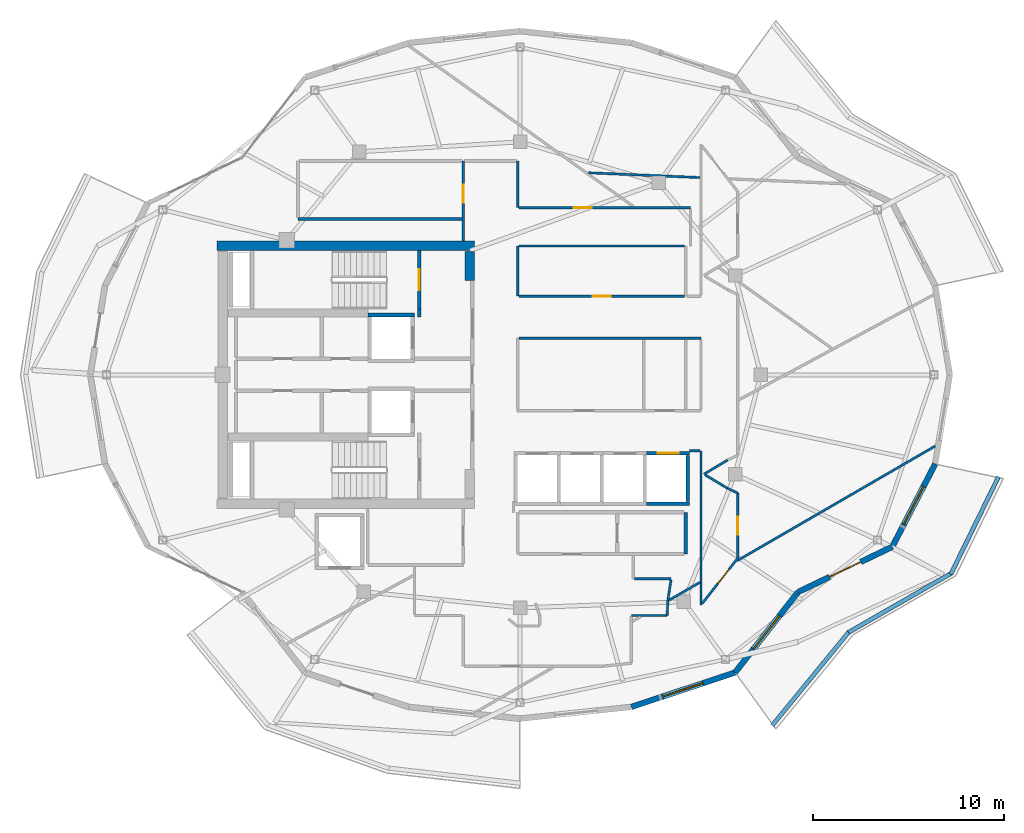
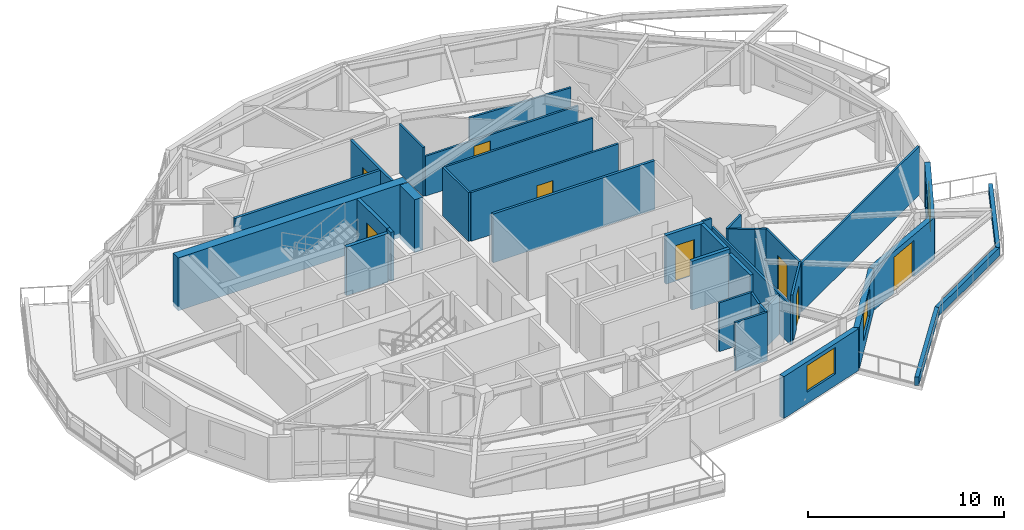
# One storey, part 9 of 14: 38 walls, 8 doors, 3 windows, 11 openings.
"""IFC4 building model written with IfcOpenShell, lengths in metres."""

import ifcopenshell
import ifcopenshell.guid

model = None  # the IFC model being written
_history = None  # IfcOwnerHistory: only IFC2X3 demands one
_inside = {}  # id of a spatial element -> (the spatial element, [elements in it])
_under = {}  # id of a project, library or spatial element -> (it, [spatial elements below it])
_declared = {}  # id of a project -> (the project, [libraries it declares])
_typed = {}  # id of a type object -> (the type object, [elements of that type])
_made_of = {}  # id of a material, layer set ... -> (it, [elements and type objects made of it])


def new_model(schema):
    """Start an empty IFC model of exactly this schema.

    Asked for "IFC4X3", IfcOpenShell would pick the latest addendum, in which some entities
    have other attributes; the version numbers below select the first issue.
    IFC2X3 requires an IfcOwnerHistory on every rooted entity: one is made here for all.
    """
    global model, _history
    if schema == "IFC4X3":
        model = ifcopenshell.file(schema_version=(4, 3, 0, 0))
    else:
        model = ifcopenshell.file(schema=schema)
    _inside.clear()
    _under.clear()
    _declared.clear()
    _typed.clear()
    _made_of.clear()
    _history = None
    if model.schema == "IFC2X3":
        org = make("IfcOrganization", Name="unknown")
        user = make(
            "IfcPersonAndOrganization",
            ThePerson=make("IfcPerson", FamilyName="unknown"),
            TheOrganization=org,
        )
        app = make(
            "IfcApplication",
            ApplicationDeveloper=org,
            Version="unknown",
            ApplicationFullName="unknown",
            ApplicationIdentifier="unknown",
        )
        _history = make(
            "IfcOwnerHistory",
            OwningUser=user,
            OwningApplication=app,
            ChangeAction="ADDED",
            CreationDate=0,
        )
    return model


def make(cls, **values):
    """One entity of the class cls with the attributes given. An attribute that is None is left unset."""
    return model.create_entity(
        cls, **{name: value for name, value in values.items() if value is not None}
    )


def rooted(cls, **values):
    """An entity with a GlobalId (a new one), such as an element, a storey or a relation."""
    return make(cls, GlobalId=ifcopenshell.guid.new(), OwnerHistory=_history, **values)


def si_unit(unit_type, name, prefix=None):
    """IfcSIUnit, for example si_unit("LENGTHUNIT", "METRE", prefix="MILLI")."""
    return make("IfcSIUnit", UnitType=unit_type, Prefix=prefix, Name=name)


def assignment(units):
    """IfcUnitAssignment: the units of a project."""
    return None if units is None else make("IfcUnitAssignment", Units=units)


def point(xyz):
    """IfcCartesianPoint."""
    return None if xyz is None else make("IfcCartesianPoint", Coordinates=xyz)


def direction(xyz):
    """IfcDirection."""
    return None if xyz is None else make("IfcDirection", DirectionRatios=xyz)


def frame(location, z_axis=None, x_axis=None):
    """IfcAxis2Placement3D, a coordinate frame: its origin and axes. An axis left out is left unset."""
    return make(
        "IfcAxis2Placement3D",
        Location=point(location),
        Axis=direction(z_axis),
        RefDirection=direction(x_axis),
    )


def frame_2d(location, x_axis=None):
    """IfcAxis2Placement2D, a coordinate frame in the plane: its origin and x axis."""
    return make(
        "IfcAxis2Placement2D", Location=point(location), RefDirection=direction(x_axis)
    )


def origin():
    """The frame at (0, 0, 0) with its axes left unset."""
    return frame((0.0, 0.0, 0.0))


def place(relative_to, where):
    """IfcLocalPlacement: puts the frame where relative to a parent placement (None: the world)."""
    return make(
        "IfcLocalPlacement", PlacementRelTo=relative_to, RelativePlacement=where
    )


def context(
    kind, dimensions, precision=None, world=None, true_north=None, identifier=None
):
    """IfcGeometricRepresentationContext, for example the 3D "Model" context."""
    return make(
        "IfcGeometricRepresentationContext",
        ContextIdentifier=identifier,
        ContextType=kind,
        CoordinateSpaceDimension=dimensions,
        Precision=precision,
        WorldCoordinateSystem=world,
        TrueNorth=true_north,
    )


def subcontext(parent, identifier, kind, view, scale=None):
    """IfcGeometricRepresentationSubContext, for example "Body" below "Model"."""
    return make(
        "IfcGeometricRepresentationSubContext",
        ContextIdentifier=identifier,
        ContextType=kind,
        ParentContext=parent,
        TargetScale=scale,
        TargetView=view,
    )


def project(units=None, contexts=None):
    """IfcProject with its units and contexts."""
    return rooted(
        "IfcProject",
        Name="project",
        RepresentationContexts=contexts,
        UnitsInContext=assignment(units),
    )


def spatial(cls, under=None, at=None, **own):
    """A site, building, storey or space (cls), placed at a placement, below another one or the project."""
    s = rooted(cls, ObjectPlacement=at, **own)
    if under is not None:
        _under.setdefault(under.id(), (under, []))[1].append(s)
    return s


def profile(cls, at=None, kind="AREA", **sizes):
    """A parametric profile (cls). Its sizes go by their IFC names, for example OverallWidth=200.0."""
    return make(cls, ProfileType=kind, Position=at, **sizes)


def rectangle(**sizes):
    """IfcRectangleProfileDef."""
    return profile("IfcRectangleProfileDef", **sizes)


def extrude(swept, where, along, depth):
    """IfcExtrudedAreaSolid: the profile swept, set in the frame where, extruded along a direction by depth."""
    return make(
        "IfcExtrudedAreaSolid",
        SweptArea=swept,
        Position=where,
        ExtrudedDirection=direction(along),
        Depth=depth,
    )


def shape(context_of_items, identifier, shape_type, items):
    """IfcShapeRepresentation: the items that make up one representation, for example the "Body"."""
    return make(
        "IfcShapeRepresentation",
        ContextOfItems=context_of_items,
        RepresentationIdentifier=identifier,
        RepresentationType=shape_type,
        Items=items,
    )


def material(Name=None, Category=None):
    """IfcMaterial."""
    return make("IfcMaterial", Name=Name, Category=Category)


def layer(
    of_material, thickness, ventilated=None, Name=None, Category=None, Priority=None
):
    """IfcMaterialLayer: one layer of a wall or slab, of a material (None: an air gap)."""
    return make(
        "IfcMaterialLayer",
        Material=of_material,
        LayerThickness=thickness,
        IsVentilated=ventilated,
        Name=Name,
        Category=Category,
        Priority=Priority,
    )


def layer_set(layers, Name=None):
    """IfcMaterialLayerSet."""
    return make("IfcMaterialLayerSet", MaterialLayers=layers, LayerSetName=Name)


def made_of(thing, what):
    """Note that an element or type object is made of a material, layer set ...; save() writes the relation."""
    if what is not None:
        _made_of.setdefault(what.id(), (what, []))[1].append(thing)
    return thing


def type_object(cls, material=None, **own):
    """A type object (cls), such as IfcWallType, which elements share."""
    return made_of(rooted(cls, **own), material)


def element(
    cls,
    number,
    at=None,
    inside=None,
    cuts=None,
    type_object=None,
    material=None,
    context=None,
    identifier="Body",
    shape_type=None,
    held_by="IfcProductDefinitionShape",
    body=None,
    shapes=None,
    **own,
):
    """One element of the class cls, such as IfcWall. Its Tag is "e" and its number.

    at: its placement. inside: the storey or other place that contains it. cuts: it is an
    opening in that element (IfcRelVoidsElement). A single representation is given by context,
    identifier, shape_type and body (its items); several are given by shapes. held_by: the class
    of the entity that holds the representations. save() writes the other relations.
    """
    e = rooted(cls, Tag="e%d" % number, ObjectPlacement=at, **own)
    if body is not None:
        shapes = [shape(context, identifier, shape_type, body)]
    if shapes is not None:
        e.Representation = make(held_by, Representations=shapes)
    if inside is not None:
        _inside.setdefault(inside.id(), (inside, []))[1].append(e)
    if cuts is not None:
        rooted(
            "IfcRelVoidsElement", RelatingBuildingElement=cuts, RelatedOpeningElement=e
        )
    if type_object is not None:
        _typed.setdefault(type_object.id(), (type_object, []))[1].append(e)
    return made_of(e, material)


def fill(opening, filler):
    """IfcRelFillsElement: the door or window that sits in an opening."""
    return rooted(
        "IfcRelFillsElement",
        RelatingOpeningElement=opening,
        RelatedBuildingElement=filler,
    )


def aggregate(whole, parts):
    """IfcRelAggregates: a whole, such as a stair, and the parts it consists of."""
    return rooted("IfcRelAggregates", RelatingObject=whole, RelatedObjects=parts)


def save(model, path):
    """Write the relations noted so far, then the file.

    IfcRelAggregates (storeys below a building ...), IfcRelContainedInSpatialStructure (elements
    in a storey), IfcRelDefinesByType, IfcRelAssociatesMaterial and IfcRelDeclares: one each for
    every whole, place, type object, material and project.
    """
    for whole, parts in _under.values():
        aggregate(whole, parts)
    for where, things in _inside.values():
        rooted(
            "IfcRelContainedInSpatialStructure",
            RelatedElements=things,
            RelatingStructure=where,
        )
    for kind, things in _typed.values():
        rooted("IfcRelDefinesByType", RelatedObjects=things, RelatingType=kind)
    for what, things in _made_of.values():
        rooted("IfcRelAssociatesMaterial", RelatedObjects=things, RelatingMaterial=what)
    for by, libraries in _declared.values():
        rooted("IfcRelDeclares", RelatingContext=by, RelatedDefinitions=libraries)
    model.write(path)


model = new_model("IFC4")

# Units and contexts
model_context = context("Model", 3, precision=1e-05, world=origin(), true_north=direction((0.0, 1.0)))
body_context = subcontext(model_context, "Body", "Model", "MODEL_VIEW")
ifc_project = project(units=[si_unit("LENGTHUNIT", "METRE"), si_unit("AREAUNIT", "SQUARE_METRE"), si_unit("VOLUMEUNIT", "CUBIC_METRE"), si_unit("PLANEANGLEUNIT", "RADIAN"), si_unit("MASSUNIT", "GRAM", prefix="KILO")], contexts=[model_context])

# Site, building, storey
site_placement = place(None, origin())
site = spatial("IfcSite", under=ifc_project, at=site_placement, CompositionType="ELEMENT")
building_placement = place(site_placement, origin())
building = spatial("IfcBuilding", under=site, at=building_placement, Name="Kolvaren Gate Tower and Convention Centre", CompositionType="ELEMENT")
storey_placement = place(building_placement, frame((0.0, 0.0, 252.5)))
storey = spatial("IfcBuildingStorey", under=building, at=storey_placement, Name="L68", CompositionType="ELEMENT", Elevation=252.5)

# Walls
ifc_material_1 = material(Name="Autoclaved Aerated Masonry Blockwork Class 4 (4.0 MPa)", Category="masonry")
ifc_layer_1 = layer(ifc_material_1, 0.179931640625)
ifc_layer_set_1 = layer_set([ifc_layer_1], Name="Autoclaved Aerated Masonry Blockwork Class 4 (4.0 MPa)")
wall_type_1 = type_object("IfcWallType", Name="ARCH-WL-COMP-180", PredefinedType="SOLIDWALL", material=ifc_layer_set_1)
wall_1_placement = place(storey_placement, frame((24.85009765625, 30.0400390625, 0.0), z_axis=(0.0, 0.0, 1.0), x_axis=(0.0, 1.0, 0.0)))
element("IfcWall", 1, at=wall_1_placement, inside=storey, type_object=wall_type_1, Name="Interior Partition WL-L68-INT-002", PredefinedType="SOLIDWALL", context=body_context, shape_type="SweptSolid", body=[
    extrude(rectangle(XDim=0.419921875, YDim=0.179931640625, at=frame_2d((0.2099609375, 0.0))), origin(), (0.0, 0.0, 1.0), 3.030029296875),
])
wall_2_placement = place(storey_placement, frame((38.800048828125, 17.6201171875, 0.0), z_axis=(0.0, 0.0, 1.0), x_axis=(0.0, 1.0, 0.0)))
element("IfcWall", 2, at=wall_2_placement, inside=storey, type_object=wall_type_1, Name="Interior Partition WL-L68-INT-021", PredefinedType="SOLIDWALL", context=body_context, shape_type="SweptSolid", body=[
    extrude(rectangle(XDim=2.179931640625, YDim=0.179931640625, at=frame_2d((1.08984375, 0.0))), origin(), (0.0, 0.0, 1.0), 3.030029296875),
])
ifc_material_2 = material(Name="Fire-Rated Acoustic Gypsum Stud Partition", Category="gypsum")
ifc_layer_2 = layer(ifc_material_2, 0.1201171875)
ifc_layer_set_2 = layer_set([ifc_layer_2], Name="Fire-Rated Acoustic Gypsum Stud Partition")
wall_type_2 = type_object("IfcWallType", Name="ARCH-WL-PART-120", PredefinedType="PARTITIONING", material=ifc_layer_set_2)
wall_3_placement = place(storey_placement, frame((30.0, 31.1201171875, 0.0), z_axis=(0.0, 0.0, 1.0), x_axis=(0.0, 1.0, 0.0)))
element("IfcWall", 3, at=wall_3_placement, inside=storey, type_object=wall_type_2, Name="Interior Partition WL-L68-INT-017", PredefinedType="PARTITIONING", context=body_context, shape_type="SweptSolid", body=[
    extrude(rectangle(XDim=2.6298828125, YDim=0.1201171875, at=frame_2d((1.31494140625, 0.0))), origin(), (0.0, 0.0, 1.0), 3.030029296875),
])
wall_4_placement = place(storey_placement, frame((30.0, 35.75, 0.0), z_axis=(0.0, 0.0, 1.0), x_axis=(0.0, 1.0, 0.0)))
element("IfcWall", 4, at=wall_4_placement, inside=storey, type_object=wall_type_2, Name="Interior Partition WL-L68-INT-018", PredefinedType="PARTITIONING", context=body_context, shape_type="SweptSolid", body=[
    extrude(rectangle(XDim=2.449951171875, YDim=0.1201171875, at=frame_2d((1.22509765625, 0.0))), origin(), (0.0, 0.0, 1.0), 3.030029296875),
])

# Wall, opening, door
wall_5_placement = place(storey_placement, frame((30.06201171875, 31.1201171875, 0.0), z_axis=(0.0, 0.0, 1.0), x_axis=(1.0, 0.0, 0.0)))
wall_5 = element("IfcWall", 5, at=wall_5_placement, inside=storey, type_object=wall_type_2, Name="Interior Partition WL-L68-INT-024", PredefinedType="PARTITIONING", context=body_context, shape_type="SweptSolid", body=[
    extrude(rectangle(XDim=8.676025390625, YDim=0.1201171875, at=frame_2d((4.337890625, 0.0))), origin(), (0.0, 0.0, 1.0), 3.030029296875),
])
opening_1_placement = place(wall_5_placement, frame((3.863037109375, 0.0, 0.0)))
opening_1 = element("IfcOpeningElement", 6, at=opening_1_placement, cuts=wall_5, Name="Opening DR-01", PredefinedType="OPENING", context=body_context, shape_type="SweptSolid", body=[
    extrude(rectangle(XDim=0.949951171875, YDim=2.10009765625, at=frame_2d((0.47509765625, 1.050048828125))), frame((0.0, 0.070068359375, 0.0), z_axis=(0.0, -1.0, 0.0), x_axis=(1.0, 0.0, 0.0)), (0.0, 0.0, 1.0), 0.14013671875),
])
ifc_material_3 = material(Name="Painted Architectural Steelwork ASTM A500 Grade C 345 MPa", Category="steel")
door_type_1 = type_object("IfcDoorType", Name="ARCH-DR-RISER-950", OperationType="SINGLE_SWING_RIGHT", PredefinedType="DOOR", material=ifc_material_3)
door_1_placement = place(opening_1_placement, origin())
door_1 = element("IfcDoor", 7, at=door_1_placement, inside=storey, type_object=door_type_1, Name="Botanical Reading Clubroom Door", OperationType="SINGLE_SWING_LEFT", OverallHeight=2.10009765625, OverallWidth=0.949951171875, PredefinedType="DOOR", context=body_context, shape_type="SweptSolid", body=[
    extrude(rectangle(XDim=0.949951171875, YDim=2.10009765625, at=frame_2d((0.47509765625, 1.050048828125))), frame((0.0, 0.02490234375, 0.0), z_axis=(0.0, -1.0, 0.0), x_axis=(1.0, 0.0, 0.0)), (0.0, 0.0, 1.0), 0.050048828125),
])
fill(opening_1, door_1)

# Wall
wall_6_placement = place(storey_placement, frame((30.06201171875, 33.75, 0.0), z_axis=(0.0, 0.0, 1.0), x_axis=(1.0, 0.0, 0.0)))
element("IfcWall", 8, at=wall_6_placement, inside=storey, type_object=wall_type_2, Name="Interior Partition WL-L68-INT-025", PredefinedType="PARTITIONING", context=body_context, shape_type="SweptSolid", body=[
    extrude(rectangle(XDim=8.676025390625, YDim=0.1201171875, at=frame_2d((4.337890625, 0.0))), origin(), (0.0, 0.0, 1.0), 3.030029296875),
])

# Wall, opening, door
wall_7_placement = place(storey_placement, frame((30.06201171875, 35.75, 0.0), z_axis=(0.0, 0.0, 1.0), x_axis=(1.0, 0.0, 0.0)))
wall_7 = element("IfcWall", 9, at=wall_7_placement, inside=storey, type_object=wall_type_2, Name="Interior Partition WL-L68-INT-032", PredefinedType="PARTITIONING", context=body_context, shape_type="SweptSolid", body=[
    extrude(rectangle(XDim=8.988037109375, YDim=0.1201171875, at=frame_2d((4.494140625, 0.0))), origin(), (0.0, 0.0, 1.0), 2.47802734375),
])
opening_2_placement = place(wall_7_placement, frame((2.860107421875, 0.0, 0.0)))
opening_2 = element("IfcOpeningElement", 10, at=opening_2_placement, cuts=wall_7, Name="Opening DR-01", PredefinedType="OPENING", context=body_context, shape_type="SweptSolid", body=[
    extrude(rectangle(XDim=0.949951171875, YDim=2.10009765625, at=frame_2d((0.47509765625, 1.050048828125))), frame((0.0, 0.070068359375, 0.0), z_axis=(0.0, -1.0, 0.0), x_axis=(1.0, 0.0, 0.0)), (0.0, 0.0, 1.0), 0.14013671875),
])
door_2_placement = place(opening_2_placement, origin())
door_2 = element("IfcDoor", 11, at=door_2_placement, inside=storey, type_object=door_type_1, Name="Resident Private Study and Home Office Door", OperationType="SINGLE_SWING_LEFT", OverallHeight=2.10009765625, OverallWidth=0.949951171875, PredefinedType="DOOR", context=body_context, shape_type="SweptSolid", body=[
    extrude(rectangle(XDim=0.949951171875, YDim=2.10009765625, at=frame_2d((0.47509765625, 1.050048828125))), frame((0.0, 0.02490234375, 0.0), z_axis=(0.0, -1.0, 0.0), x_axis=(1.0, 0.0, 0.0)), (0.0, 0.0, 1.0), 0.050048828125),
])
fill(opening_2, door_2)

# Wall
wall_8_placement = place(storey_placement, frame((39.60009765625, 14.951904296875, 0.0), z_axis=(0.0, 0.0, 1.0), x_axis=(0.0, 1.0, 0.0)))
element("IfcWall", 12, at=wall_8_placement, inside=storey, type_object=wall_type_2, Name="Interior Partition WL-L68-INT-034", PredefinedType="PARTITIONING", context=body_context, shape_type="SweptSolid", body=[
    extrude(rectangle(XDim=8.068115234375, YDim=0.1201171875, at=frame_2d((4.0341796875, 0.0))), origin(), (0.0, 0.0, 1.0), 2.47802734375),
])

# Wall, opening, door
wall_9_placement = place(storey_placement, frame((41.52001953125, 17.404052734375, 0.0), z_axis=(0.0, 0.0, 1.0), x_axis=(0.0, 1.0, 0.0)))
wall_9 = element("IfcWall", 13, at=wall_9_placement, inside=storey, type_object=wall_type_2, Name="Interior Partition WL-L68-INT-038", PredefinedType="PARTITIONING", context=body_context, shape_type="SweptSolid", body=[
    extrude(rectangle(XDim=3.40283203125, YDim=0.1201171875, at=frame_2d((1.701416015625, 0.0))), origin(), (0.0, 0.0, 1.0), 3.030029296875),
])
opening_3_placement = place(wall_9_placement, frame((1.2265625, 0.0, 0.0)))
opening_3 = element("IfcOpeningElement", 14, at=opening_3_placement, cuts=wall_9, Name="Opening DR-01", PredefinedType="OPENING", context=body_context, shape_type="SweptSolid", body=[
    extrude(rectangle(XDim=0.949951171875, YDim=2.10009765625, at=frame_2d((0.47509765625, 1.050048828125))), frame((0.0, 0.070068359375, 0.0), z_axis=(0.0, -1.0, 0.0), x_axis=(1.0, 0.0, 0.0)), (0.0, 0.0, 1.0), 0.14013671875),
])
door_3_placement = place(opening_3_placement, origin())
door_3 = element("IfcDoor", 15, at=door_3_placement, inside=storey, type_object=door_type_1, Name="Resident Private Study Door", OperationType="SINGLE_SWING_RIGHT", OverallHeight=2.10009765625, OverallWidth=0.949951171875, PredefinedType="DOOR", context=body_context, shape_type="SweptSolid", body=[
    extrude(rectangle(XDim=0.949951171875, YDim=2.10009765625, at=frame_2d((0.47509765625, 1.050048828125))), frame((0.0, 0.02490234375, 0.0), z_axis=(0.0, -1.0, 0.0), x_axis=(1.0, 0.0, 0.0)), (0.0, 0.0, 1.0), 0.050048828125),
])
fill(opening_3, door_3)

# Walls
wall_10_placement = place(storey_placement, frame((39.75, 21.800048828125, 0.0), z_axis=(0.0, 0.0, 1.0), x_axis=(0.857702120906, 0.514146935996, 0.0)))
element("IfcWall", 16, at=wall_10_placement, inside=storey, type_object=wall_type_2, Name="Interior Partition WL-L68-INT-046", PredefinedType="PARTITIONING", context=body_context, shape_type="SweptSolid", body=[
    extrude(rectangle(XDim=1.441162109375, YDim=0.1201171875, at=frame_2d((0.720703125, 0.0))), origin(), (0.0, 0.0, 1.0), 3.030029296875),
])
wall_11_placement = place(storey_placement, frame((39.810302734375, 21.763916015625, 0.0), z_axis=(0.0, 0.0, 1.0), x_axis=(0.858011245414, -0.513630901273, 0.0)))
element("IfcWall", 17, at=wall_11_placement, inside=storey, type_object=wall_type_2, Name="Interior Partition WL-L68-INT-047", PredefinedType="PARTITIONING", context=body_context, shape_type="SweptSolid", body=[
    extrude(rectangle(XDim=1.370361328125, YDim=0.1201171875, at=frame_2d((0.68505859375, 0.0))), origin(), (0.0, 0.0, 1.0), 3.030029296875),
])
wall_12_placement = place(storey_placement, frame((40.986083984375, 21.06005859375, 0.0), z_axis=(0.0, 0.0, 1.0), x_axis=(0.90356951601, -0.428441512621, 0.0)))
element("IfcWall", 18, at=wall_12_placement, inside=storey, type_object=wall_type_2, Name="Interior Partition WL-L68-INT-048", PredefinedType="PARTITIONING", context=body_context, shape_type="SweptSolid", body=[
    extrude(rectangle(XDim=0.5908203125, YDim=0.1201171875, at=frame_2d((0.29541015625, 0.0))), origin(), (0.0, 0.0, 1.0), 3.030029296875),
])

# Wall, opening, door
wall_13_placement = place(storey_placement, frame((39.662109375, 15.03125, 0.0), z_axis=(0.0, 0.0, 1.0), x_axis=(0.616500468458, 0.787354540465, 0.0)))
wall_13 = element("IfcWall", 19, at=wall_13_placement, inside=storey, type_object=wall_type_2, Name="Interior Partition WL-L68-INT-049", PredefinedType="PARTITIONING", context=body_context, shape_type="SweptSolid", body=[
    extrude(rectangle(XDim=3.013671875, YDim=0.1201171875, at=frame_2d((1.5068359375, 0.0))), origin(), (0.0, 0.0, 1.0), 3.030029296875),
])
opening_4_placement = place(wall_13_placement, frame((1.311767578125, 0.0, 0.0)))
opening_4 = element("IfcOpeningElement", 20, at=opening_4_placement, cuts=wall_13, Name="Opening DR-01", PredefinedType="OPENING", context=body_context, shape_type="SweptSolid", body=[
    extrude(rectangle(XDim=0.949951171875, YDim=2.10009765625, at=frame_2d((0.47509765625, 1.050048828125))), frame((0.0, 0.070068359375, 0.0), z_axis=(0.0, -1.0, 0.0), x_axis=(1.0, 0.0, 0.0)), (0.0, 0.0, 1.0), 0.14013671875),
])
door_4_placement = place(opening_4_placement, origin())
door_4 = element("IfcDoor", 21, at=door_4_placement, inside=storey, type_object=door_type_1, Name="Penthouse Strategy Boardroom Door", OperationType="SINGLE_SWING_LEFT", OverallHeight=2.10009765625, OverallWidth=0.949951171875, PredefinedType="DOOR", context=body_context, shape_type="SweptSolid", body=[
    extrude(rectangle(XDim=0.949951171875, YDim=2.10009765625, at=frame_2d((0.47509765625, 1.050048828125))), frame((0.0, 0.02490234375, 0.0), z_axis=(0.0, -1.0, 0.0), x_axis=(1.0, 0.0, 0.0)), (0.0, 0.0, 1.0), 0.050048828125),
])
fill(opening_4, door_4)

# Walls
wall_14_placement = place(storey_placement, frame((39.0, 23.02001953125, 0.0), z_axis=(0.0, 0.0, 1.0), x_axis=(1.0, 0.0, 0.0)))
element("IfcWall", 22, at=wall_14_placement, inside=storey, type_object=wall_type_2, Name="Interior Partition WL-L68-INT-050", PredefinedType="PARTITIONING", context=body_context, shape_type="SweptSolid", body=[
    extrude(rectangle(XDim=0.5380859375, YDim=0.1201171875, at=frame_2d((0.26904296875, 0.0))), origin(), (0.0, 0.0, 1.0), 3.030029296875),
])
wall_15_placement = place(storey_placement, frame((36.112060546875, 16.320068359375, 0.0), z_axis=(0.0, 0.0, 1.0), x_axis=(1.0, 0.0, 0.0)))
element("IfcWall", 23, at=wall_15_placement, inside=storey, type_object=wall_type_2, Name="Interior Partition WL-L68-INT-053", PredefinedType="PARTITIONING", context=body_context, shape_type="SweptSolid", body=[
    extrude(rectangle(XDim=1.9208984375, YDim=0.1201171875, at=frame_2d((0.96044921875, 0.0))), origin(), (0.0, 0.0, 1.0), 3.030029296875),
])
wall_16_placement = place(storey_placement, frame((37.862060546875, 15.200927734375, 0.0), z_axis=(0.0, 0.0, 1.0), x_axis=(0.150907653202, 0.988547864398, 0.0)))
element("IfcWall", 24, at=wall_16_placement, inside=storey, type_object=wall_type_2, Name="Interior Partition WL-L68-INT-054", PredefinedType="PARTITIONING", context=body_context, shape_type="SweptSolid", body=[
    extrude(rectangle(XDim=1.0693359375, YDim=0.1201171875, at=frame_2d((0.53466796875, 0.0))), origin(), (0.0, 0.0, 1.0), 3.030029296875),
])
wall_17_placement = place(storey_placement, frame((37.822998046875, 14.39990234375, 0.0), z_axis=(0.0, 0.0, 1.0), x_axis=(0.04870773904, 0.998813073682, 0.0)))
element("IfcWall", 25, at=wall_17_placement, inside=storey, type_object=wall_type_2, Name="Interior Partition WL-L68-INT-055", PredefinedType="PARTITIONING", context=body_context, shape_type="SweptSolid", body=[
    extrude(rectangle(XDim=0.802001953125, YDim=0.1201171875, at=frame_2d((0.40087890625, 0.0))), origin(), (0.0, 0.0, 1.0), 3.030029296875),
])
wall_18_placement = place(storey_placement, frame((35.949951171875, 14.39990234375, 0.0), z_axis=(0.0, 0.0, 1.0), x_axis=(1.0, 0.0, 0.0)))
element("IfcWall", 26, at=wall_18_placement, inside=storey, type_object=wall_type_2, Name="Interior Partition WL-L68-INT-057", PredefinedType="PARTITIONING", context=body_context, shape_type="SweptSolid", body=[
    extrude(rectangle(XDim=1.873046875, YDim=0.1201171875, at=frame_2d((0.9365234375, 0.0))), origin(), (0.0, 0.0, 1.0), 3.030029296875),
])
wall_19_placement = place(storey_placement, frame((37.92529296875, 15.2041015625, 0.0), z_axis=(0.0, 0.0, 1.0), x_axis=(0.865342568062, 0.501180845505, 0.0)))
element("IfcWall", 27, at=wall_19_placement, inside=storey, type_object=wall_type_2, Name="Interior Partition WL-L68-INT-070", PredefinedType="PARTITIONING", context=body_context, shape_type="SweptSolid", body=[
    extrude(rectangle(XDim=1.86376953125, YDim=0.1201171875, at=frame_2d((0.931884765625, 0.0))), origin(), (0.0, 0.0, 1.0), 2.47802734375),
])
wall_20_placement = place(storey_placement, frame((41.4951171875, 17.271728515625, 0.0), z_axis=(0.0, 0.0, 1.0), x_axis=(0.865359277242, 0.501151994201, 0.0)))
element("IfcWall", 28, at=wall_20_placement, inside=storey, type_object=wall_type_2, Name="Interior Partition WL-L68-INT-071", PredefinedType="PARTITIONING", context=body_context, shape_type="SweptSolid", body=[
    extrude(rectangle(XDim=11.974853515625, YDim=0.1201171875, at=frame_2d((5.9873046875, 0.0))), origin(), (0.0, 0.0, 1.0), 3.030029296875),
])
wall_21_placement = place(storey_placement, frame((33.69921875, 37.5791015625, 0.0), z_axis=(0.0, 0.0, 1.0), x_axis=(0.999081056781, -0.042860727724, 0.0)))
element("IfcWall", 29, at=wall_21_placement, inside=storey, type_object=wall_type_2, Name="Interior Partition WL-L68-INT-074", PredefinedType="PARTITIONING", context=body_context, shape_type="SweptSolid", body=[
    extrude(rectangle(XDim=5.84423828125, YDim=0.1201171875, at=frame_2d((2.922119140625, 0.0))), origin(), (0.0, 0.0, 1.0), 2.47802734375),
])
ifc_material_4 = material(Name="Piedmont Cream Honed Limestone Cladding", Category="masonry")
ifc_layer_3 = layer(ifc_material_4, 0.219970703125)
ifc_layer_set_3 = layer_set([ifc_layer_3], Name="Piedmont Cream Honed Limestone Cladding")
wall_type_3 = type_object("IfcWallType", Name="ARCH-WL-PLANTER-220", PredefinedType="PARAPET", material=ifc_layer_set_3)
wall_22_placement = place(storey_placement, frame((43.322998046875, 8.64599609375, 0.0), z_axis=(0.0, 0.0, 1.0), x_axis=(0.63407318032, 0.77327304492, 0.0)))
element("IfcWall", 30, at=wall_22_placement, inside=storey, type_object=wall_type_3, Name="Vertical-Forest Balcony Stone Planter Kerb PK-L68-4.1", PredefinedType="PARAPET", context=body_context, shape_type="SweptSolid", body=[
    extrude(rectangle(XDim=6.37890625, YDim=0.219970703125, at=frame_2d((3.189453125, 0.0))), origin(), (0.0, 0.0, 1.0), 0.52001953125),
])
wall_23_placement = place(storey_placement, frame((47.3212890625, 13.5205078125, 0.0), z_axis=(0.0, 0.0, 1.0), x_axis=(0.866901621005, 0.49847926687, 0.0)))
element("IfcWall", 31, at=wall_23_placement, inside=storey, type_object=wall_type_3, Name="Vertical-Forest Balcony Stone Planter Kerb PK-L68-4.2", PredefinedType="PARAPET", context=body_context, shape_type="SweptSolid", body=[
    extrude(rectangle(XDim=6.196533203125, YDim=0.219970703125, at=frame_2d((3.09814453125, 0.0))), origin(), (0.0, 0.0, 1.0), 0.52001953125),
])
wall_24_placement = place(storey_placement, frame((52.66748046875, 16.553466796875, 0.0), z_axis=(0.0, 0.0, 1.0), x_axis=(0.440058847499, 0.897968936399, 0.0)))
element("IfcWall", 32, at=wall_24_placement, inside=storey, type_object=wall_type_3, Name="Vertical-Forest Balcony Stone Planter Kerb PK-L68-4.3", PredefinedType="PARAPET", context=body_context, shape_type="SweptSolid", body=[
    extrude(rectangle(XDim=5.689453125, YDim=0.219970703125, at=frame_2d((2.8447265625, 0.0))), origin(), (0.0, 0.0, 1.0), 0.52001953125),
])
ifc_layer_4 = layer(ifc_material_1, 0.199951171875)
ifc_layer_set_4 = layer_set([ifc_layer_4], Name="Autoclaved Aerated Masonry Blockwork Class 4 (4.0 MPa)")
wall_type_4 = type_object("IfcWallType", Name="ARCH-WL-SHAFT-200", PredefinedType="SOLIDWALL", material=ifc_layer_set_4)
wall_25_placement = place(storey_placement, frame((22.14990234375, 30.139892578125, 0.0), z_axis=(0.0, 0.0, 1.0), x_axis=(1.0, 0.0, 0.0)))
element("IfcWall", 33, at=wall_25_placement, inside=storey, type_object=wall_type_4, Name="Elevator FF-01 L68 Fire Shaft Wall N", PredefinedType="SOLIDWALL", context=body_context, shape_type="SweptSolid", body=[
    extrude(rectangle(XDim=2.4501953125, YDim=0.199951171875, at=frame_2d((1.22509765625, 0.0))), origin(), (0.0, 0.0, 1.0), 3.030029296875),
])

# Wall, opening, door
wall_26_placement = place(storey_placement, frame((36.75, 22.89990234375, 0.0), z_axis=(0.0, 0.0, 1.0), x_axis=(1.0, 0.0, 0.0)))
wall_26 = element("IfcWall", 34, at=wall_26_placement, inside=storey, type_object=wall_type_4, Name="Elevator PL-12 L68 Fire Shaft Wall N", PredefinedType="SOLIDWALL", context=body_context, shape_type="SweptSolid", body=[
    extrude(rectangle(XDim=2.25, YDim=0.199951171875, at=frame_2d((1.125, 0.0))), origin(), (0.0, 0.0, 1.0), 3.030029296875),
])
opening_5_placement = place(wall_26_placement, frame((0.574951171875, 0.0, 0.0)))
opening_5 = element("IfcOpeningElement", 35, at=opening_5_placement, cuts=wall_26, Name="Opening LD", PredefinedType="OPENING", context=body_context, shape_type="SweptSolid", body=[
    extrude(rectangle(XDim=1.10009765625, YDim=2.199951171875, at=frame_2d((0.550048828125, 1.10009765625))), frame((0.0, 0.10986328125, 0.0), z_axis=(0.0, -1.0, 0.0), x_axis=(1.0, 0.0, 0.0)), (0.0, 0.0, 1.0), 0.219970703125),
])
ifc_material_5 = material(Name="Brushed Stainless Steel Grade 316L", Category="steel")
door_type_2 = type_object("IfcDoorType", Name="ARCH-DR-LIFT-1100", OperationType="SLIDING_TO_LEFT", PredefinedType="DOOR", material=ifc_material_5)
door_5_placement = place(opening_5_placement, origin())
door_5 = element("IfcDoor", 36, at=door_5_placement, inside=storey, type_object=door_type_2, Name="Elevator PL-12 L68 Sliding Landing Door", OperationType="SLIDING_TO_LEFT", OverallHeight=2.199951171875, OverallWidth=1.10009765625, PredefinedType="DOOR", context=body_context, shape_type="SweptSolid", body=[
    extrude(rectangle(XDim=1.10009765625, YDim=2.199951171875, at=frame_2d((0.550048828125, 1.10009765625))), frame((0.0, 0.02490234375, 0.0), z_axis=(0.0, -1.0, 0.0), x_axis=(1.0, 0.0, 0.0)), (0.0, 0.0, 1.0), 0.050048828125),
])
fill(opening_5, door_5)

# Walls
wall_27_placement = place(storey_placement, frame((36.75, 20.25, 0.0), z_axis=(0.0, 0.0, 1.0), x_axis=(1.0, 0.0, 0.0)))
element("IfcWall", 37, at=wall_27_placement, inside=storey, type_object=wall_type_4, Name="Elevator PL-12 L68 Fire Shaft Wall S", PredefinedType="SOLIDWALL", context=body_context, shape_type="SweptSolid", body=[
    extrude(rectangle(XDim=2.25, YDim=0.199951171875, at=frame_2d((1.125, 0.0))), origin(), (0.0, 0.0, 1.0), 3.030029296875),
])
wall_28_placement = place(storey_placement, frame((38.89990234375, 20.360107421875, 0.0), z_axis=(0.0, 0.0, 1.0), x_axis=(0.0, 1.0, 0.0)))
element("IfcWall", 38, at=wall_28_placement, inside=storey, type_object=wall_type_4, Name="Elevator PL-12 L68 Fire Shaft Wall E", PredefinedType="SOLIDWALL", context=body_context, shape_type="SweptSolid", body=[
    extrude(rectangle(XDim=2.429931640625, YDim=0.199951171875, at=frame_2d((1.21484375, 0.0))), origin(), (0.0, 0.0, 1.0), 3.030029296875),
])

# Wall, opening, window
ifc_layer_5 = layer(ifc_material_4, 0.300048828125)
ifc_layer_set_5 = layer_set([ifc_layer_5], Name="Piedmont Cream Honed Limestone Cladding")
wall_type_5 = type_object("IfcWallType", Name="ARCH-WL-STONE-300", PredefinedType="SOLIDWALL", material=ifc_layer_set_5)
wall_29_placement = place(storey_placement, frame((35.948486328125, 9.61328125, 0.0), z_axis=(0.0, 0.0, 1.0), x_axis=(0.949232769585, 0.314574552605, 0.0)))
wall_29 = element("IfcWall", 39, at=wall_29_placement, inside=storey, type_object=wall_type_5, Name="Tower L68 Honed Stone Spandrel Wall EW-19", PredefinedType="SOLIDWALL", context=body_context, shape_type="SweptSolid", body=[
    extrude(rectangle(XDim=5.716796875, YDim=0.300048828125, at=frame_2d((2.8583984375, 0.0))), origin(), (0.0, 0.0, 1.0), 2.60498046875),
])
opening_6_placement = place(wall_29_placement, frame((1.758056640625, 0.0, 0.719970703125)))
opening_6 = element("IfcOpeningElement", 40, at=opening_6_placement, cuts=wall_29, Name="Opening W-03", PredefinedType="OPENING", context=body_context, shape_type="SweptSolid", body=[
    extrude(rectangle(XDim=2.199951171875, YDim=1.64990234375, at=frame_2d((1.10009765625, 0.824951171875))), frame((0.0, 0.159912109375, 0.0), z_axis=(0.0, -1.0, 0.0), x_axis=(1.0, 0.0, 0.0)), (0.0, 0.0, 1.0), 0.320068359375),
])
ifc_material_6 = material(Name="Low-E Triple Insulated Glazing Unit 44 mm", Category="glass")
window_type = type_object("IfcWindowType", Name="ARCH-WN-RES-2200", PartitioningType="SINGLE_PANEL", PredefinedType="WINDOW", material=ifc_material_6)
window_1_placement = place(opening_6_placement, origin())
window_1 = element("IfcWindow", 41, at=window_1_placement, inside=storey, type_object=window_type, Name="Tower L68 Punched Stone Facade Window W-19", OverallHeight=1.64990234375, OverallWidth=2.199951171875, PartitioningType="SINGLE_PANEL", PredefinedType="WINDOW", context=body_context, shape_type="SweptSolid", body=[
    extrude(rectangle(XDim=2.199951171875, YDim=1.64990234375, at=frame_2d((1.10009765625, 0.824951171875))), frame((0.0, 0.030029296875, 0.0), z_axis=(0.0, -1.0, 0.0), x_axis=(1.0, 0.0, 0.0)), (0.0, 0.0, 1.0), 0.06005859375),
])
fill(opening_6, window_1)

wall_30_placement = place(storey_placement, frame((41.375, 11.41162109375, 0.0), z_axis=(0.0, 0.0, 1.0), x_axis=(0.61644588519, 0.787397276241, 0.0)))
wall_30 = element("IfcWall", 42, at=wall_30_placement, inside=storey, type_object=wall_type_5, Name="Tower L68 Honed Stone Spandrel Wall EW-20", PredefinedType="SOLIDWALL", context=body_context, shape_type="SweptSolid", body=[
    extrude(rectangle(XDim=5.35693359375, YDim=0.300048828125, at=frame_2d((2.678466796875, 0.0))), origin(), (0.0, 0.0, 1.0), 2.60498046875),
])
opening_7_placement = place(wall_30_placement, frame((1.5791015625, 0.0, 0.719970703125)))
opening_7 = element("IfcOpeningElement", 43, at=opening_7_placement, cuts=wall_30, Name="Opening W-03", PredefinedType="OPENING", context=body_context, shape_type="SweptSolid", body=[
    extrude(rectangle(XDim=2.199951171875, YDim=1.64990234375, at=frame_2d((1.10009765625, 0.824951171875))), frame((0.0, 0.159912109375, 0.0), z_axis=(0.0, -1.0, 0.0), x_axis=(1.0, 0.0, 0.0)), (0.0, 0.0, 1.0), 0.320068359375),
])
window_2_placement = place(opening_7_placement, origin())
window_2 = element("IfcWindow", 44, at=window_2_placement, inside=storey, type_object=window_type, Name="Tower L68 Punched Stone Facade Window W-20", OverallHeight=1.64990234375, OverallWidth=2.199951171875, PartitioningType="SINGLE_PANEL", PredefinedType="WINDOW", context=body_context, shape_type="SweptSolid", body=[
    extrude(rectangle(XDim=2.199951171875, YDim=1.64990234375, at=frame_2d((1.10009765625, 0.824951171875))), frame((0.0, 0.030029296875, 0.0), z_axis=(0.0, -1.0, 0.0), x_axis=(1.0, 0.0, 0.0)), (0.0, 0.0, 1.0), 0.06005859375),
])
fill(opening_7, window_2)

# Wall, opening, door
wall_31_placement = place(storey_placement, frame((44.67724609375, 15.629638671875, 0.0), z_axis=(0.0, 0.0, 1.0), x_axis=(0.901355238351, 0.433080517106, 0.0)))
wall_31 = element("IfcWall", 45, at=wall_31_placement, inside=storey, type_object=wall_type_5, Name="Tower L68 Honed Stone Spandrel Wall EW-21", PredefinedType="SOLIDWALL", context=body_context, shape_type="SweptSolid", body=[
    extrude(rectangle(XDim=5.47314453125, YDim=0.300048828125, at=frame_2d((2.736572265625, 0.0))), origin(), (0.0, 0.0, 1.0), 2.60498046875),
])
opening_8_placement = place(wall_31_placement, frame((1.8369140625, 0.0, 0.0)))
opening_8 = element("IfcOpeningElement", 46, at=opening_8_placement, cuts=wall_31, Name="Opening DB-01", PredefinedType="OPENING", context=body_context, shape_type="SweptSolid", body=[
    extrude(rectangle(XDim=1.800048828125, YDim=2.25, at=frame_2d((0.89990234375, 1.125))), frame((0.0, 0.159912109375, 0.0), z_axis=(0.0, -1.0, 0.0), x_axis=(1.0, 0.0, 0.0)), (0.0, 0.0, 1.0), 0.320068359375),
])
ifc_material_7 = material(Name="Anodized Architectural Aluminium Alloy 6063-T6", Category="aluminium")
door_type_3 = type_object("IfcDoorType", Name="ARCH-DR-BALC-1800", OperationType="SLIDING_TO_LEFT", PredefinedType="DOOR", material=ifc_material_7)
door_6_placement = place(opening_8_placement, frame((1.800048828125, 0.0, 0.0), z_axis=(0.0, 0.0, 1.0), x_axis=(-1.0, 0.0, 0.0)))
door_6 = element("IfcDoor", 47, at=door_6_placement, inside=storey, type_object=door_type_3, Name="Planted Sky Terrace Access Door DB-L68-21", OperationType="SLIDING_TO_LEFT", OverallHeight=2.25, OverallWidth=1.800048828125, PredefinedType="DOOR", context=body_context, shape_type="SweptSolid", body=[
    extrude(rectangle(XDim=1.800048828125, YDim=2.25, at=frame_2d((0.89990234375, 1.125))), frame((0.0, 0.02490234375, 0.0), z_axis=(0.0, -1.0, 0.0), x_axis=(1.0, 0.0, 0.0)), (0.0, 0.0, 1.0), 0.050048828125),
])
fill(opening_8, door_6)

# Wall, opening, window
wall_32_placement = place(storey_placement, frame((49.610595703125, 18.0, 0.0), z_axis=(0.0, 0.0, 1.0), x_axis=(0.459793771602, 0.888025724625, 0.0)))
wall_32 = element("IfcWall", 48, at=wall_32_placement, inside=storey, type_object=wall_type_5, Name="Tower L68 Honed Stone Spandrel Wall EW-22", PredefinedType="SOLIDWALL", context=body_context, shape_type="SweptSolid", body=[
    extrude(rectangle(XDim=4.888671875, YDim=0.300048828125, at=frame_2d((2.4443359375, 0.0))), origin(), (0.0, 0.0, 1.0), 2.60498046875),
])
opening_9_placement = place(wall_32_placement, frame((1.343994140625, 0.0, 0.719970703125)))
opening_9 = element("IfcOpeningElement", 49, at=opening_9_placement, cuts=wall_32, Name="Opening W-03", PredefinedType="OPENING", context=body_context, shape_type="SweptSolid", body=[
    extrude(rectangle(XDim=2.199951171875, YDim=1.64990234375, at=frame_2d((1.10009765625, 0.824951171875))), frame((0.0, 0.159912109375, 0.0), z_axis=(0.0, -1.0, 0.0), x_axis=(1.0, 0.0, 0.0)), (0.0, 0.0, 1.0), 0.320068359375),
])
window_3_placement = place(opening_9_placement, origin())
window_3 = element("IfcWindow", 50, at=window_3_placement, inside=storey, type_object=window_type, Name="Tower L68 Punched Stone Facade Window W-22", OverallHeight=1.64990234375, OverallWidth=2.199951171875, PartitioningType="SINGLE_PANEL", PredefinedType="WINDOW", context=body_context, shape_type="SweptSolid", body=[
    extrude(rectangle(XDim=2.199951171875, YDim=1.64990234375, at=frame_2d((1.10009765625, 0.824951171875))), frame((0.0, 0.030029296875, 0.0), z_axis=(0.0, -1.0, 0.0), x_axis=(1.0, 0.0, 0.0)), (0.0, 0.0, 1.0), 0.06005859375),
])
fill(opening_9, window_3)

# Wall, opening, door
ifc_material_8 = material(Name="Moisture-Resistant Cement-Board Acoustic Partition", Category="gypsum")
ifc_layer_6 = layer(ifc_material_8, 0.14990234375)
ifc_layer_set_6 = layer_set([ifc_layer_6], Name="Moisture-Resistant Cement-Board Acoustic Partition")
wall_type_6 = type_object("IfcWallType", Name="ARCH-WL-WET-150", PredefinedType="PARTITIONING", material=ifc_layer_set_6)
wall_33_placement = place(storey_placement, frame((27.14990234375, 34.001953125, 0.0), z_axis=(0.0, 0.0, 1.0), x_axis=(0.0, 1.0, 0.0)))
wall_33 = element("IfcWall", 51, at=wall_33_placement, inside=storey, type_object=wall_type_6, Name="Interior Partition WL-L68-INT-013", PredefinedType="PARTITIONING", context=body_context, shape_type="SweptSolid", body=[
    extrude(rectangle(XDim=4.197998046875, YDim=0.14990234375, at=frame_2d((2.09912109375, 0.0))), origin(), (0.0, 0.0, 1.0), 3.030029296875),
])
opening_10_placement = place(wall_33_placement, frame((1.998046875, 0.0, 0.0)))
opening_10 = element("IfcOpeningElement", 52, at=opening_10_placement, cuts=wall_33, Name="Opening DR-01", PredefinedType="OPENING", context=body_context, shape_type="SweptSolid", body=[
    extrude(rectangle(XDim=0.949951171875, YDim=2.10009765625, at=frame_2d((0.47509765625, 1.050048828125))), frame((0.0, 0.0849609375, 0.0), z_axis=(0.0, -1.0, 0.0), x_axis=(1.0, 0.0, 0.0)), (0.0, 0.0, 1.0), 0.169921875),
])
door_7_placement = place(opening_10_placement, origin())
door_7 = element("IfcDoor", 53, at=door_7_placement, inside=storey, type_object=door_type_1, Name="Reclaimed North Resident Store Door", OperationType="SINGLE_SWING_LEFT", OverallHeight=2.10009765625, OverallWidth=0.949951171875, PredefinedType="DOOR", context=body_context, shape_type="SweptSolid", body=[
    extrude(rectangle(XDim=0.949951171875, YDim=2.10009765625, at=frame_2d((0.47509765625, 1.050048828125))), frame((0.0, 0.02490234375, 0.0), z_axis=(0.0, -1.0, 0.0), x_axis=(1.0, 0.0, 0.0)), (0.0, 0.0, 1.0), 0.050048828125),
])
fill(opening_10, door_7)

# Walls
wall_34_placement = place(storey_placement, frame((30.076904296875, 28.919921875, 0.0), z_axis=(0.0, 0.0, 1.0), x_axis=(1.0, 0.0, 0.0)))
element("IfcWall", 54, at=wall_34_placement, inside=storey, type_object=wall_type_6, Name="Interior Partition WL-L68-INT-019", PredefinedType="PARTITIONING", context=body_context, shape_type="SweptSolid", body=[
    extrude(rectangle(XDim=9.523193359375, YDim=0.14990234375, at=frame_2d((4.76171875, 0.0))), origin(), (0.0, 0.0, 1.0), 3.030029296875),
])
wall_35_placement = place(storey_placement, frame((18.5, 35.159912109375, 0.0), z_axis=(0.0, 0.0, 1.0), x_axis=(1.0, 0.0, 0.0)))
element("IfcWall", 55, at=wall_35_placement, inside=storey, type_object=wall_type_6, Name="Interior Partition WL-L68-INT-029", PredefinedType="PARTITIONING", context=body_context, shape_type="SweptSolid", body=[
    extrude(rectangle(XDim=8.572998046875, YDim=0.14990234375, at=frame_2d((4.28662109375, 0.0))), origin(), (0.0, 0.0, 1.0), 3.030029296875),
])
ifc_material_9 = material(Name="Concrete C50/60", Category="concrete")
ifc_layer_7 = layer(ifc_material_9, 0.5)
ifc_layer_set_7 = layer_set([ifc_layer_7], Name="Concrete C50/60")
wall_type_7 = type_object("IfcWallType", Name="STR-WL-CORE-500", PredefinedType="SHEAR", material=ifc_layer_set_7)
wall_36_placement = place(storey_placement, frame((14.25, 33.75, -0.27001953125), z_axis=(0.0, 0.0, 1.0), x_axis=(1.0, 0.0, 0.0)))
element("IfcWall", 56, at=wall_36_placement, inside=storey, type_object=wall_type_7, Name="Tower L68 Offset Core Shear Wall N", PredefinedType="SHEAR", context=body_context, shape_type="SweptSolid", body=[
    extrude(rectangle(XDim=13.5, YDim=0.5, at=frame_2d((6.75, 0.0))), origin(), (0.0, 0.0, 1.0), 3.300048828125),
])
wall_37_placement = place(storey_placement, frame((27.5, 31.949951171875, -0.27001953125), z_axis=(0.0, 0.0, 1.0), x_axis=(0.0, 1.0, 0.0)))
element("IfcWall", 57, at=wall_37_placement, inside=storey, type_object=wall_type_7, Name="Tower L68 Offset Core Shear Wall EN", PredefinedType="SHEAR", context=body_context, shape_type="SweptSolid", body=[
    extrude(rectangle(XDim=1.5, YDim=0.5, at=frame_2d((0.75, 0.0))), origin(), (0.0, 0.0, 1.0), 3.300048828125),
])

# Wall, opening, door
ifc_layer_8 = layer(ifc_material_9, 0.199951171875)
ifc_layer_set_8 = layer_set([ifc_layer_8], Name="Concrete C50/60")
wall_type_8 = type_object("IfcWallType", Name="STR-WL-SHAFT-200", PredefinedType="SHEAR", material=ifc_layer_set_8)
wall_38_placement = place(storey_placement, frame((24.85009765625, 30.4599609375, -0.27001953125), z_axis=(0.0, 0.0, 1.0), x_axis=(0.0, 1.0, 0.0)))
wall_38 = element("IfcWall", 58, at=wall_38_placement, inside=storey, type_object=wall_type_8, Name="Tower North Exit Stair ST-T1 L68 Structural Shear Enclosure Wall NEAR", PredefinedType="SHEAR", context=body_context, shape_type="SweptSolid", body=[
    extrude(rectangle(XDim=3.0380859375, YDim=0.199951171875, at=frame_2d((1.51904296875, 0.0))), origin(), (0.0, 0.0, 1.0), 3.300048828125),
])
opening_11_placement = place(wall_38_placement, frame((0.968994140625, 0.0, 0.27001953125)))
opening_11 = element("IfcOpeningElement", 59, at=opening_11_placement, cuts=wall_38, Name="Opening DS-01", PredefinedType="OPENING", context=body_context, shape_type="SweptSolid", body=[
    extrude(rectangle(XDim=1.10009765625, YDim=2.14990234375, at=frame_2d((0.550048828125, 1.074951171875))), frame((0.0, 0.10986328125, 0.0), z_axis=(0.0, -1.0, 0.0), x_axis=(1.0, 0.0, 0.0)), (0.0, 0.0, 1.0), 0.219970703125),
])
door_type_4 = type_object("IfcDoorType", Name="ARCH-DR-STAIR-1100", OperationType="SINGLE_SWING_LEFT", PredefinedType="DOOR", material=ifc_material_3)
door_8_placement = place(opening_11_placement, origin())
door_8 = element("IfcDoor", 60, at=door_8_placement, inside=storey, type_object=door_type_4, Name="Tower North Exit Stair ST-T1 L68 Fire Exit Stair Door", OperationType="SINGLE_SWING_RIGHT", OverallHeight=2.14990234375, OverallWidth=1.10009765625, PredefinedType="DOOR", context=body_context, shape_type="SweptSolid", body=[
    extrude(rectangle(XDim=1.10009765625, YDim=2.14990234375, at=frame_2d((0.550048828125, 1.074951171875))), frame((0.0, 0.02490234375, 0.0), z_axis=(0.0, -1.0, 0.0), x_axis=(1.0, 0.0, 0.0)), (0.0, 0.0, 1.0), 0.050048828125),
])
fill(opening_11, door_8)

save(model, "model.ifc")
